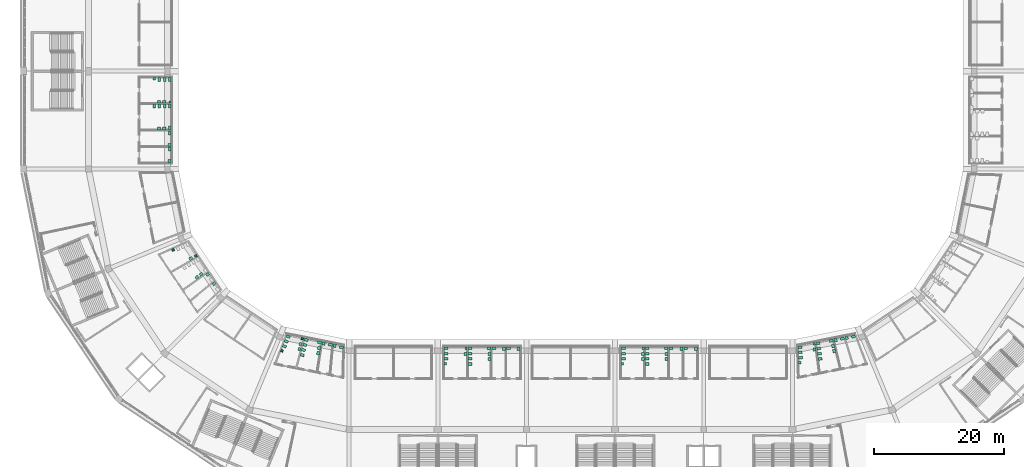
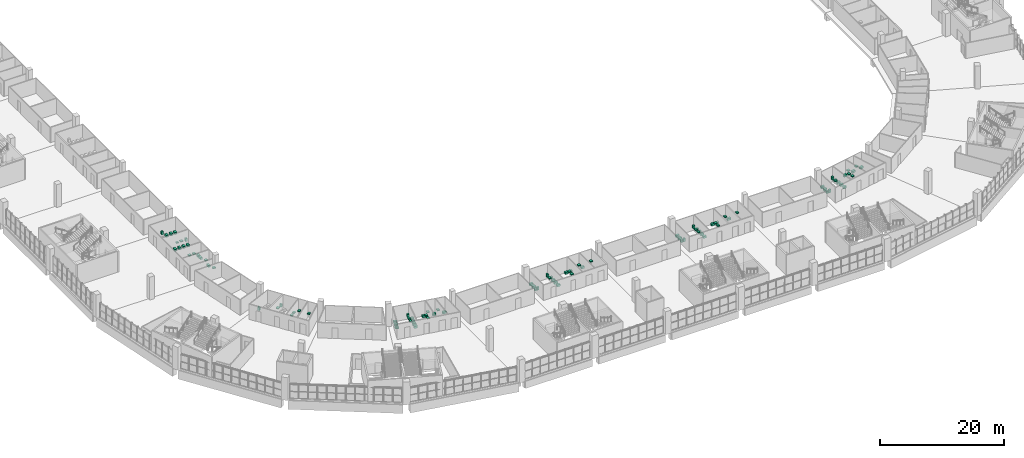
# One storey, part 195 of 199: 95 sanitary terminals.
"""IFC4 building model written with IfcOpenShell, lengths in metres."""

from ifc_helpers import new_model, si_unit, direction, frame, origin, origin_2d, place, context, subcontext, project, spatial, rectangle, extrude, material, type_object, element, save


model = new_model("IFC4")

# Units and contexts
model_context = context("Model", 3, precision=1e-05, world=origin(), true_north=direction((0.0, 1.0)))
body_context = subcontext(model_context, "Body", "Model", "MODEL_VIEW")
ifc_project = project(units=[si_unit("LENGTHUNIT", "METRE"), si_unit("AREAUNIT", "SQUARE_METRE"), si_unit("VOLUMEUNIT", "CUBIC_METRE"), si_unit("PLANEANGLEUNIT", "RADIAN"), si_unit("MASSUNIT", "GRAM", prefix="KILO")], contexts=[model_context])

# Site, building, storey
site_placement = place(None, origin())
site = spatial("IfcSite", under=ifc_project, at=site_placement, CompositionType="ELEMENT")
building_placement = place(site_placement, origin())
building = spatial("IfcBuilding", under=site, at=building_placement, Name="Ogive Plaza Stadium", CompositionType="ELEMENT")
storey_placement = place(building_placement, frame((0.0, 0.0, 4.5)))
storey = spatial("IfcBuildingStorey", under=building, at=storey_placement, Name="L01", CompositionType="ELEMENT", Elevation=4.5)

# Sanitary terminals
ifc_material_1 = material(Name="Vitreous china", Category="ceramic")
sanitary_terminal_type_1 = type_object("IfcSanitaryTerminalType", Name="Drinking fountain", PredefinedType="SANITARYFOUNTAIN", material=ifc_material_1)
for number, where, z_axis, x_axis, name in (
    (1, (11.0830078125, -81.64990234375, 0.7998046875), (0.0, 0.0, 1.0), (0.0, -1.0, 0.0), "Drinking fountain L01-041"),
    (2, (-41.6416015625, -80.14892578125, 0.7998046875), (0.0, 0.0, 1.0), (-0.259661875744, -0.965699596295, 0.0), "Drinking fountain L01-053"),
    (3, (-63.14990234375, -42.217041015625, 0.7998046875), (0.0, 0.0, 1.0), (-1.0, 0.0, 0.0), "Drinking fountain L01-069"),
):
    element("IfcSanitaryTerminal", number, at=place(storey_placement, frame(where, z_axis=z_axis, x_axis=x_axis)), inside=storey, type_object=sanitary_terminal_type_1, Name=name, PredefinedType="SANITARYFOUNTAIN", context=body_context, shape_type="SweptSolid", body=[
        extrude(rectangle(XDim=0.449951171875, YDim=0.39990234375, at=origin_2d()), origin(), (0.0, 0.0, 1.0), 0.199951171875),
    ])
ifc_material_2 = material(Name="Vitreous china", Category="ceramic")
sanitary_terminal_type_2 = type_object("IfcSanitaryTerminalType", Name="Lavatory", PredefinedType="WASHHANDBASIN", material=ifc_material_2)
for number, where, z_axis, x_axis, name in (
    (4, (37.395751953125, -80.203369140625, 0.7998046875), (0.0, 0.0, 1.0), (0.12966094377, -0.991558389436, 0.0), "Lavatory L01-034"),
    (5, (11.05810546875, -80.875, 0.7998046875), (0.0, 0.0, 1.0), (0.0, -1.0, 0.0), "Lavatory L01-041"),
    (6, (-16.14208984375, -80.875, 0.7998046875), (0.0, 0.0, 1.0), (0.0, -1.0, 0.0), "Lavatory L01-047"),
    (7, (-41.46435546875, -79.39404296875, 0.7998046875), (0.0, 0.0, 1.0), (-0.259661875744, -0.965699596295, 0.0), "Lavatory L01-053"),
    (8, (-58.295166015625, -66.239013671875, 0.7998046875), (0.0, 0.0, 1.0), (-0.866461406284, -0.499244059975, 0.0), "Lavatory L01-061"),
    (9, (-62.375, -42.19189453125, 0.7998046875), (0.0, 0.0, 1.0), (-1.0, 0.0, 0.0), "Lavatory L01-069"),
    (10, (40.24560546875, -79.662109375, 0.7998046875), (0.0, 0.0, 1.0), (0.231948240653, -0.972728129365, 0.0), "Lavatory L01-035"),
    (11, (40.43115234375, -80.440185546875, 0.7998046875), (0.0, 0.0, 1.0), (0.231948240653, -0.972728129365, 0.0), "Lavatory L01-035"),
    (12, (14.716064453125, -80.875, 0.7998046875), (0.0, 0.0, 1.0), (0.0, -1.0, 0.0), "Lavatory L01-042"),
    (13, (14.716064453125, -81.675048828125, 0.7998046875), (0.0, 0.0, 1.0), (0.0, -1.0, 0.0), "Lavatory L01-042"),
    (14, (-12.48388671875, -80.875, 0.7998046875), (0.0, 0.0, 1.0), (0.0, -1.0, 0.0), "Lavatory L01-048"),
    (15, (-12.48388671875, -81.675048828125, 0.7998046875), (0.0, 0.0, 1.0), (0.0, -1.0, 0.0), "Lavatory L01-048"),
    (16, (-38.62451171875, -79.984619140625, 0.7998046875), (0.0, 0.0, 1.0), (-0.157954707162, -0.987446358282, 0.0), "Lavatory L01-054"),
    (17, (-38.750732421875, -80.7744140625, 0.7998046875), (0.0, 0.0, 1.0), (-0.157954707162, -0.987446358282, 0.0), "Lavatory L01-054"),
    (18, (-56.704345703125, -68.66455078125, 0.7998046875), (0.0, 0.0, 1.0), (-0.809920860554, -0.586539171445, 0.0), "Lavatory L01-062"),
    (19, (-57.352294921875, -69.1337890625, 0.7998046875), (0.0, 0.0, 1.0), (-0.809920860554, -0.586539171445, 0.0), "Lavatory L01-062"),
    (20, (-62.375, -46.283935546875, 0.7998046875), (0.0, 0.0, 1.0), (-1.0, 0.0, 0.0), "Lavatory L01-070"),
    (21, (-63.175048828125, -46.283935546875, 0.7998046875), (0.0, 0.0, 1.0), (-1.0, 0.0, 0.0), "Lavatory L01-070"),
    (22, (40.634033203125, -78.751220703125, 0.7998046875), (0.0, 0.0, 1.0), (0.236946667666, -0.971522658862, 0.0), "Lavatory L01-036"),
    (23, (42.32373046875, -78.399169921875, 0.7998046875), (0.0, 0.0, 1.0), (0.298089664221, -0.954537873573, 0.0), "Lavatory L01-037"),
    (24, (16.9580078125, -80.074951171875, 0.7998046875), (0.0, 0.0, 1.0), (0.0, -1.0, 0.0), "Lavatory L01-043"),
    (25, (19.199951171875, -80.074951171875, 0.7998046875), (0.0, 0.0, 1.0), (0.0, -1.0, 0.0), "Lavatory L01-044"),
    (26, (-10.241943359375, -80.074951171875, 0.7998046875), (0.0, 0.0, 1.0), (0.0, -1.0, 0.0), "Lavatory L01-049"),
    (27, (-8.0, -80.074951171875, 0.7998046875), (0.0, 0.0, 1.0), (0.0, -1.0, 0.0), "Lavatory L01-050"),
    (28, (-37.916748046875, -79.291748046875, 0.7998046875), (0.0, 0.0, 1.0), (-0.15287544916, -0.988245463963, 0.0), "Lavatory L01-055"),
    (29, (-36.22119140625, -79.613037109375, 0.7998046875), (0.0, 0.0, 1.0), (-0.089886890154, -0.995951980257, 0.0), "Lavatory L01-056"),
    (30, (-55.714111328125, -68.6748046875, 0.7998046875), (0.0, 0.0, 1.0), (-0.806894335823, -0.590695802267, 0.0), "Lavatory L01-063"),
    (31, (-54.7421875, -70.101318359375, 0.7998046875), (0.0, 0.0, 1.0), (-0.767804028544, -0.640684769408, 0.0), "Lavatory L01-064"),
    (32, (-61.574951171875, -48.7919921875, 0.7998046875), (0.0, 0.0, 1.0), (-1.0, 0.0, 0.0), "Lavatory L01-071"),
    (33, (-61.574951171875, -51.300048828125, 0.7998046875), (0.0, 0.0, 1.0), (-1.0, 0.0, 0.0), "Lavatory L01-072"),
):
    element("IfcSanitaryTerminal", number, at=place(storey_placement, frame(where, z_axis=z_axis, x_axis=x_axis)), inside=storey, type_object=sanitary_terminal_type_2, Name=name, PredefinedType="WASHHANDBASIN", context=body_context, shape_type="SweptSolid", body=[
        extrude(rectangle(XDim=0.5, YDim=0.449951171875, at=origin_2d()), origin(), (0.0, 0.0, 1.0), 0.199951171875),
    ])
ifc_material_3 = material(Name="Vitreous china", Category="ceramic")
sanitary_terminal_type_3 = type_object("IfcSanitaryTerminalType", Name="Urinal", PredefinedType="URINAL", material=ifc_material_3)
for number, where, z_axis, x_axis, name in (
    (34, (35.13818359375, -82.21826171875, 0.599853515625), (0.0, 0.0, 1.0), (0.03238764602, -0.999475382581, 0.0), "Urinal L01-034"),
    (35, (37.331787109375, -79.329345703125, 0.599853515625), (0.0, 0.0, 1.0), (0.12966094377, -0.991558389436, 0.0), "Urinal L01-034"),
    (36, (7.949951171875, -82.39990234375, 0.599853515625), (0.0, 0.0, 1.0), (0.0, -1.0, 0.0), "Urinal L01-041"),
    (37, (11.10791015625, -80.0, 0.599853515625), (0.0, 0.0, 1.0), (0.0, -1.0, 0.0), "Urinal L01-041"),
    (38, (-19.25, -82.39990234375, 0.599853515625), (0.0, 0.0, 1.0), (0.0, -1.0, 0.0), "Urinal L01-047"),
    (39, (-16.092041015625, -80.0, 0.599853515625), (0.0, 0.0, 1.0), (0.0, -1.0, 0.0), "Urinal L01-047"),
    (40, (-44.3212890625, -80.3916015625, 0.599853515625), (0.0, 0.0, 1.0), (-0.352560386706, -0.935789064761, 0.0), "Urinal L01-053"),
    (41, (-41.18896484375, -78.56201171875, 0.599853515625), (0.0, 0.0, 1.0), (-0.259661875744, -0.965699596295, 0.0), "Urinal L01-053"),
    (42, (-61.0205078125, -64.92431640625, 0.599853515625), (0.0, 0.0, 1.0), (-0.91100063367, -0.412404953235, 0.0), "Urinal L01-061"),
    (43, (-57.511962890625, -65.84521484375, 0.599853515625), (0.0, 0.0, 1.0), (-0.866461406284, -0.499244059975, 0.0), "Urinal L01-061"),
    (44, (-63.89990234375, -38.64990234375, 0.599853515625), (0.0, 0.0, 1.0), (-1.0, 0.0, 0.0), "Urinal L01-069"),
    (45, (-61.5, -42.241943359375, 0.599853515625), (0.0, 0.0, 1.0), (-1.0, 0.0, 0.0), "Urinal L01-069"),
):
    element("IfcSanitaryTerminal", number, at=place(storey_placement, frame(where, z_axis=z_axis, x_axis=x_axis)), inside=storey, type_object=sanitary_terminal_type_3, Name=name, PredefinedType="URINAL", context=body_context, shape_type="SweptSolid", body=[
        extrude(rectangle(XDim=0.35009765625, YDim=0.35009765625, at=origin_2d()), origin(), (0.0, 0.0, 1.0), 0.60009765625),
    ])
ifc_material_4 = material(Name="Vitreous china", Category="ceramic")
sanitary_terminal_type_4 = type_object("IfcSanitaryTerminalType", Name="Water closet", PredefinedType="TOILETPAN", material=ifc_material_4)
for number, where, z_axis, x_axis, name in (
    (46, (35.18603515625, -79.840576171875, 0.0), (0.0, 0.0, 1.0), (0.03238764602, -0.999475382581, 0.0), "Water closet L01-034"),
    (47, (35.2119140625, -80.64013671875, 0.0), (0.0, 0.0, 1.0), (0.03238764602, -0.999475382581, 0.0), "Water closet L01-034"),
    (48, (35.23779296875, -81.439697265625, 0.0), (0.0, 0.0, 1.0), (0.03238764602, -0.999475382581, 0.0), "Water closet L01-034"),
    (49, (8.074951171875, -80.02490234375, 0.0), (0.0, 0.0, 1.0), (0.0, -1.0, 0.0), "Water closet L01-041"),
    (50, (8.074951171875, -80.824951171875, 0.0), (0.0, 0.0, 1.0), (0.0, -1.0, 0.0), "Water closet L01-041"),
    (51, (8.074951171875, -81.625, 0.0), (0.0, 0.0, 1.0), (0.0, -1.0, 0.0), "Water closet L01-041"),
    (52, (-19.125, -80.02490234375, 0.0), (0.0, 0.0, 1.0), (0.0, -1.0, 0.0), "Water closet L01-047"),
    (53, (-19.125, -80.824951171875, 0.0), (0.0, 0.0, 1.0), (0.0, -1.0, 0.0), "Water closet L01-047"),
    (54, (-19.125, -81.625, 0.0), (0.0, 0.0, 1.0), (0.0, -1.0, 0.0), "Water closet L01-047"),
    (55, (-43.366943359375, -78.213134765625, 0.0), (0.0, 0.0, 1.0), (-0.352560386706, -0.935789064761, 0.0), "Water closet L01-053"),
    (56, (-43.64892578125, -78.9619140625, 0.0), (0.0, 0.0, 1.0), (-0.352560386706, -0.935789064761, 0.0), "Water closet L01-053"),
    (57, (-43.930908203125, -79.71044921875, 0.0), (0.0, 0.0, 1.0), (-0.352560386706, -0.935789064761, 0.0), "Water closet L01-053"),
    (58, (-61.52490234375, -38.77490234375, 0.0), (0.0, 0.0, 1.0), (-1.0, 0.0, 0.0), "Water closet L01-069"),
    (59, (-62.324951171875, -38.77490234375, 0.0), (0.0, 0.0, 1.0), (-1.0, 0.0, 0.0), "Water closet L01-069"),
    (60, (-63.125, -38.77490234375, 0.0), (0.0, 0.0, 1.0), (-1.0, 0.0, 0.0), "Water closet L01-069"),
    (61, (37.942138671875, -79.263916015625, 0.0), (0.0, 0.0, 1.0), (0.134743707476, -0.990880483861, 0.0), "Water closet L01-035"),
    (62, (38.050048828125, -80.056640625, 0.0), (0.0, 0.0, 1.0), (0.134743707476, -0.990880483861, 0.0), "Water closet L01-035"),
    (63, (38.15771484375, -80.849365234375, 0.0), (0.0, 0.0, 1.0), (0.134743707476, -0.990880483861, 0.0), "Water closet L01-035"),
    (64, (38.265625, -81.64208984375, 0.0), (0.0, 0.0, 1.0), (0.134743707476, -0.990880483861, 0.0), "Water closet L01-035"),
    (65, (39.975341796875, -78.852783203125, 0.0), (0.0, 0.0, 1.0), (0.231948240653, -0.972728129365, 0.0), "Water closet L01-035"),
    (66, (11.73291015625, -80.02490234375, 0.0), (0.0, 0.0, 1.0), (0.0, -1.0, 0.0), "Water closet L01-042"),
    (67, (11.73291015625, -80.824951171875, 0.0), (0.0, 0.0, 1.0), (0.0, -1.0, 0.0), "Water closet L01-042"),
    (68, (11.73291015625, -81.625, 0.0), (0.0, 0.0, 1.0), (0.0, -1.0, 0.0), "Water closet L01-042"),
    (69, (11.73291015625, -82.425048828125, 0.0), (0.0, 0.0, 1.0), (0.0, -1.0, 0.0), "Water closet L01-042"),
    (70, (14.64111328125, -80.02490234375, 0.0), (0.0, 0.0, 1.0), (0.0, -1.0, 0.0), "Water closet L01-042"),
    (71, (-15.467041015625, -80.02490234375, 0.0), (0.0, 0.0, 1.0), (0.0, -1.0, 0.0), "Water closet L01-048"),
    (72, (-15.467041015625, -80.824951171875, 0.0), (0.0, 0.0, 1.0), (0.0, -1.0, 0.0), "Water closet L01-048"),
    (73, (-15.467041015625, -81.625, 0.0), (0.0, 0.0, 1.0), (0.0, -1.0, 0.0), "Water closet L01-048"),
    (74, (-15.467041015625, -82.425048828125, 0.0), (0.0, 0.0, 1.0), (0.0, -1.0, 0.0), "Water closet L01-048"),
    (75, (-12.55908203125, -80.02490234375, 0.0), (0.0, 0.0, 1.0), (0.0, -1.0, 0.0), "Water closet L01-048"),
    (76, (-40.60009765625, -78.7353515625, 0.0), (0.0, 0.0, 1.0), (-0.254706591156, -0.96701838267, 0.0), "Water closet L01-054"),
    (77, (-40.8037109375, -79.5087890625, 0.0), (0.0, 0.0, 1.0), (-0.254706591156, -0.96701838267, 0.0), "Water closet L01-054"),
    (78, (-41.007568359375, -80.282470703125, 0.0), (0.0, 0.0, 1.0), (-0.254706591156, -0.96701838267, 0.0), "Water closet L01-054"),
    (79, (-41.211181640625, -81.05615234375, 0.0), (0.0, 0.0, 1.0), (-0.254706591156, -0.96701838267, 0.0), "Water closet L01-054"),
    (80, (-38.564208984375, -79.13330078125, 0.0), (0.0, 0.0, 1.0), (-0.157954707162, -0.987446358282, 0.0), "Water closet L01-054"),
    (81, (-61.52490234375, -42.866943359375, 0.0), (0.0, 0.0, 1.0), (-1.0, 0.0, 0.0), "Water closet L01-070"),
    (82, (-62.324951171875, -42.866943359375, 0.0), (0.0, 0.0, 1.0), (-1.0, 0.0, 0.0), "Water closet L01-070"),
    (83, (-63.125, -42.866943359375, 0.0), (0.0, 0.0, 1.0), (-1.0, 0.0, 0.0), "Water closet L01-070"),
    (84, (-63.925048828125, -42.866943359375, 0.0), (0.0, 0.0, 1.0), (-1.0, 0.0, 0.0), "Water closet L01-070"),
    (85, (-61.52490234375, -46.208984375, 0.0), (0.0, 0.0, 1.0), (-1.0, 0.0, 0.0), "Water closet L01-070"),
    (86, (41.6708984375, -78.53369140625, 0.0), (0.0, 0.0, 1.0), (0.293224481396, -0.956043620088, 0.0), "Water closet L01-036"),
    (87, (43.366943359375, -78.213134765625, 0.0), (0.0, 0.0, 1.0), (0.352560386706, -0.935789064761, 0.0), "Water closet L01-037"),
    (88, (15.39111328125, -80.02490234375, 0.0), (0.0, 0.0, 1.0), (0.0, -1.0, 0.0), "Water closet L01-043"),
    (89, (17.633056640625, -80.02490234375, 0.0), (0.0, 0.0, 1.0), (0.0, -1.0, 0.0), "Water closet L01-044"),
    (90, (-11.80908203125, -80.02490234375, 0.0), (0.0, 0.0, 1.0), (0.0, -1.0, 0.0), "Water closet L01-049"),
    (91, (-9.56689453125, -80.02490234375, 0.0), (0.0, 0.0, 1.0), (0.0, -1.0, 0.0), "Water closet L01-050"),
    (92, (-36.875732421875, -79.487548828125, 0.0), (0.0, 0.0, 1.0), (-0.094957957233, -0.995481283781, 0.0), "Water closet L01-055"),
    (93, (-35.18603515625, -79.840576171875, 0.0), (0.0, 0.0, 1.0), (-0.03238764602, -0.999475382581, 0.0), "Water closet L01-056"),
    (94, (-61.52490234375, -46.958984375, 0.0), (0.0, 0.0, 1.0), (-1.0, 0.0, 0.0), "Water closet L01-071"),
    (95, (-61.52490234375, -49.467041015625, 0.0), (0.0, 0.0, 1.0), (-1.0, 0.0, 0.0), "Water closet L01-072"),
):
    element("IfcSanitaryTerminal", number, at=place(storey_placement, frame(where, z_axis=z_axis, x_axis=x_axis)), inside=storey, type_object=sanitary_terminal_type_4, Name=name, PredefinedType="TOILETPAN", context=body_context, shape_type="SweptSolid", body=[
        extrude(rectangle(XDim=0.39990234375, YDim=0.60009765625, at=origin_2d()), origin(), (0.0, 0.0, 1.0), 0.39990234375),
    ])

save(model, "model.ifc")
